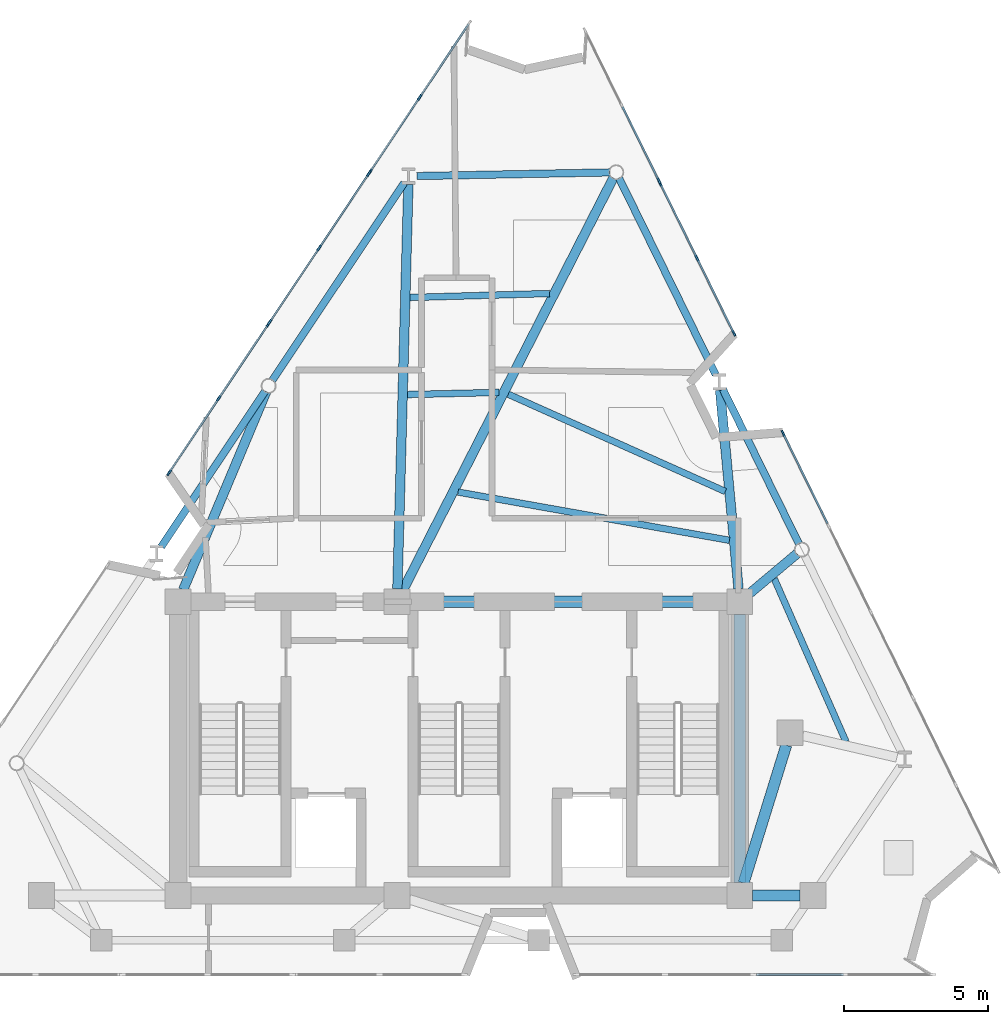
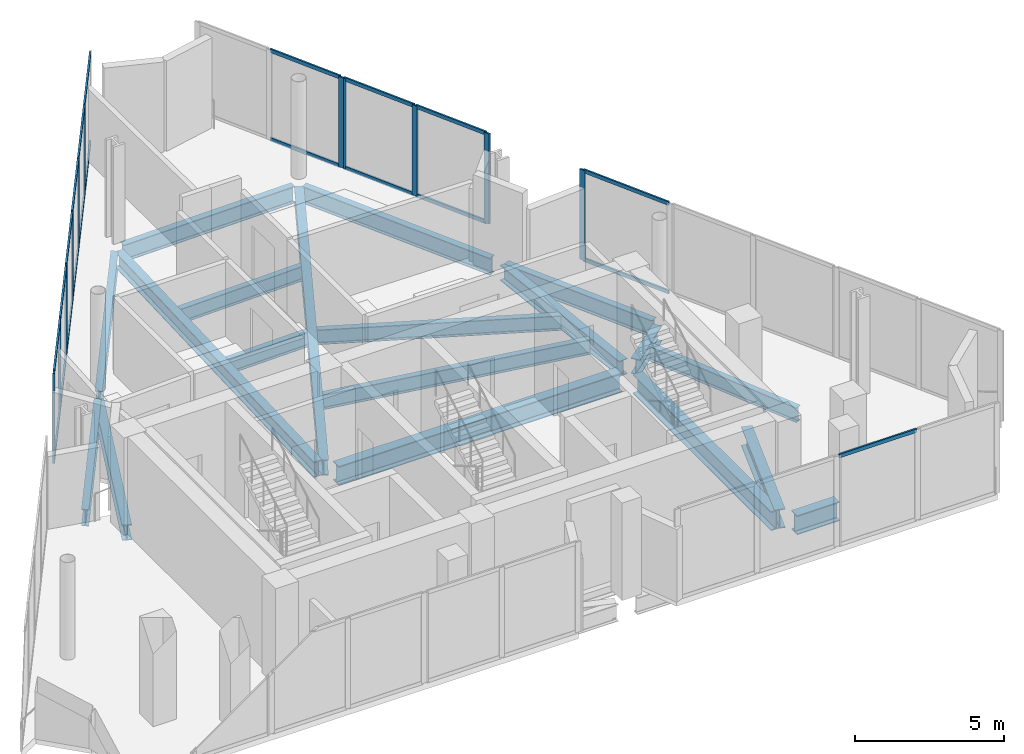
# One storey, part 3 of 9: 34 members, 19 beams, 7 elements without a shape of their own.
"""IFC4 building model written with IfcOpenShell, lengths in metres."""

from ifc_helpers import new_model, si_unit, direction, frame, origin, origin_2d, place, context, subcontext, project, spatial, rectangle, i_section, extrude, material, layer, layer_set, material_profile, profile_set, type_object, element, aggregate, save


model = new_model("IFC4")

# Units and contexts
model_context = context("Model", 3, precision=1e-05, world=origin(), true_north=direction((0.0, 1.0)))
body_context = subcontext(model_context, "Body", "Model", "MODEL_VIEW")
ifc_project = project(units=[si_unit("LENGTHUNIT", "METRE"), si_unit("AREAUNIT", "SQUARE_METRE"), si_unit("VOLUMEUNIT", "CUBIC_METRE"), si_unit("PLANEANGLEUNIT", "RADIAN"), si_unit("MASSUNIT", "GRAM", prefix="KILO")], contexts=[model_context])

# Site, building, storey
site_placement = place(None, origin())
site = spatial("IfcSite", under=ifc_project, at=site_placement, CompositionType="ELEMENT")
building_placement = place(site_placement, origin())
building = spatial("IfcBuilding", under=site, at=building_placement, Name="Almagre Mirador Tower", CompositionType="ELEMENT")
storey_placement = place(building_placement, frame((0.0, 0.0, 302.5)))
storey = spatial("IfcBuildingStorey", under=building, at=storey_placement, Name="L78", CompositionType="ELEMENT", Elevation=302.5)

# Beams
ifc_material_1 = material(Name="Steel ASTM A992 Grade 50", Category="steel")
ifc_material_profile_1 = material_profile(ifc_material_1, i_section(OverallWidth=0.22802734375, OverallDepth=0.60791015625, WebThickness=0.01123046875, FlangeThickness=0.017333984375, FilletRadius=0.02001953125, at=origin_2d()), Name="W24X76")
ifc_profile_set_1 = profile_set([ifc_material_profile_1], Name="Steel ASTM A992 Grade 50")
beam_type_1 = type_object("IfcBeamType", Name="BM-JST-W24X76", PredefinedType="JOIST", material=ifc_profile_set_1)
beam_1_placement = place(storey_placement, frame((50.740966796875, 9.88671875, -0.60400390625), z_axis=(-0.402759773965, 0.915305721863, 0.0), x_axis=(-0.915305721863, -0.402759773965, 0.0)))
element("IfcBeam", 1, at=beam_1_placement, inside=storey, type_object=beam_type_1, Name="L78 secondary floor joist PC05-PC06.2", PredefinedType="JOIST", context=body_context, shape_type="SweptSolid", body=[
    extrude(i_section(OverallWidth=0.22802734375, OverallDepth=0.60791015625, WebThickness=0.01123046875, FlangeThickness=0.017333984375, FilletRadius=0.02001953125, at=origin_2d()), origin(), (0.0, 0.0, 1.0), 6.1865234375),
])
beam_2_placement = place(storey_placement, frame((46.550048828125, 18.57763671875, -0.60400390625), z_axis=(-0.912603271466, 0.408846265617, 0.0), x_axis=(-0.408846265617, -0.912603271466, 0.0)))
element("IfcBeam", 2, at=beam_2_placement, inside=storey, type_object=beam_type_1, Name="L78 secondary floor joist PC07-PC08.2", PredefinedType="JOIST", context=body_context, shape_type="SweptSolid", body=[
    extrude(i_section(OverallWidth=0.22802734375, OverallDepth=0.60791015625, WebThickness=0.01123046875, FlangeThickness=0.017333984375, FilletRadius=0.02001953125, at=origin_2d()), origin(), (0.0, 0.0, 1.0), 8.259765625),
])
beam_3_placement = place(storey_placement, frame((46.692138671875, 16.883056640625, -0.60400390625), z_axis=(-0.984569639354, 0.174993214903, 0.0), x_axis=(-0.174993214903, -0.984569639354, 0.0)))
element("IfcBeam", 3, at=beam_3_placement, inside=storey, type_object=beam_type_1, Name="L78 secondary floor joist PC07-PC08.3", PredefinedType="JOIST", context=body_context, shape_type="SweptSolid", body=[
    extrude(i_section(OverallWidth=0.22802734375, OverallDepth=0.60791015625, WebThickness=0.01123046875, FlangeThickness=0.017333984375, FilletRadius=0.02001953125, at=origin_2d()), origin(), (0.0, 0.0, 1.0), 9.5693359375),
])
beam_4_placement = place(storey_placement, frame((40.4501953125, 25.452880859375, -0.60400390625), z_axis=(-0.999591141536, -0.028592827134, 0.0), x_axis=(0.028592827134, -0.999591141536, 0.0)))
element("IfcBeam", 4, at=beam_4_placement, inside=storey, type_object=beam_type_1, Name="L78 secondary floor joist PC08-PC09.1", PredefinedType="JOIST", context=body_context, shape_type="SweptSolid", body=[
    extrude(i_section(OverallWidth=0.22802734375, OverallDepth=0.60791015625, WebThickness=0.01123046875, FlangeThickness=0.017333984375, FilletRadius=0.02001953125, at=origin_2d()), origin(), (0.0, 0.0, 1.0), 4.849853515625),
])
beam_5_placement = place(storey_placement, frame((38.69677734375, 22.018310546875, -0.60400390625), z_axis=(-0.999725244584, -0.02344003715, 0.0), x_axis=(0.02344003715, -0.999725244584, 0.0)))
element("IfcBeam", 5, at=beam_5_placement, inside=storey, type_object=beam_type_1, Name="L78 secondary floor joist PC08-PC09.2", PredefinedType="JOIST", context=body_context, shape_type="SweptSolid", body=[
    extrude(i_section(OverallWidth=0.22802734375, OverallDepth=0.60791015625, WebThickness=0.01123046875, FlangeThickness=0.017333984375, FilletRadius=0.02001953125, at=origin_2d()), origin(), (0.0, 0.0, 1.0), 3.187255859375),
])
ifc_material_2 = material(Name="Steel ASTM A992 Grade 50", Category="steel")
ifc_material_profile_2 = material_profile(ifc_material_2, i_section(OverallWidth=0.256103515625, OverallDepth=0.693115234375, WebThickness=0.014404296875, FlangeThickness=0.023681640625, FilletRadius=0.02197265625, at=origin_2d()), Name="W27X114")
ifc_profile_set_2 = profile_set([ifc_material_profile_2], Name="Steel ASTM A992 Grade 50")
beam_type_2 = type_object("IfcBeamType", Name="BM-SPN-W27X114", PredefinedType="SPANDREL", material=ifc_profile_set_2)
beam_6_placement = place(storey_placement, frame((49.10791015625, 16.75537109375, -0.646484375), z_axis=(-0.441280885173, 0.897369032439, 0.0), x_axis=(-0.897369032439, -0.441280885173, 0.0)))
element("IfcBeam", 6, at=beam_6_placement, inside=storey, type_object=beam_type_2, Name="L78 perimeter spandrel beam PC06-PC07", PredefinedType="SPANDREL", context=body_context, shape_type="SweptSolid", body=[
    extrude(i_section(OverallWidth=0.256103515625, OverallDepth=0.693115234375, WebThickness=0.014404296875, FlangeThickness=0.023681640625, FilletRadius=0.02197265625, at=origin_2d()), origin(), (0.0, 0.0, 1.0), 5.985107421875),
])
beam_7_placement = place(storey_placement, frame((46.215087890625, 22.6376953125, -0.646484375), z_axis=(-0.441260346392, 0.897379132085, 0.0), x_axis=(-0.897379132085, -0.441260346392, 0.0)))
element("IfcBeam", 7, at=beam_7_placement, inside=storey, type_object=beam_type_2, Name="L78 perimeter spandrel beam PC07-PC08", PredefinedType="SPANDREL", context=body_context, shape_type="SweptSolid", body=[
    extrude(i_section(OverallWidth=0.256103515625, OverallDepth=0.693115234375, WebThickness=0.014404296875, FlangeThickness=0.023681640625, FilletRadius=0.02197265625, at=origin_2d()), origin(), (0.0, 0.0, 1.0), 7.607666015625),
])
beam_8_placement = place(storey_placement, frame((42.541015625, 29.657958984375, -0.646484375), z_axis=(-0.999822125959, -0.018860446513, 0.0), x_axis=(0.018860446513, -0.999822125959, 0.0)))
element("IfcBeam", 8, at=beam_8_placement, inside=storey, type_object=beam_type_2, Name="L78 perimeter spandrel beam PC08-PC09", PredefinedType="SPANDREL", context=body_context, shape_type="SweptSolid", body=[
    extrude(i_section(OverallWidth=0.256103515625, OverallDepth=0.693115234375, WebThickness=0.014404296875, FlangeThickness=0.023681640625, FilletRadius=0.02197265625, at=origin_2d()), origin(), (0.0, 0.0, 1.0), 6.705322265625),
])
beam_9_placement = place(storey_placement, frame((35.393798828125, 29.2890625, -0.646484375), z_axis=(-0.555219210279, -0.831704051052, 0.0), x_axis=(0.831704051052, -0.555219210279, 0.0)))
element("IfcBeam", 9, at=beam_9_placement, inside=storey, type_object=beam_type_2, Name="L78 perimeter spandrel beam PC09-PC10", PredefinedType="SPANDREL", context=body_context, shape_type="SweptSolid", body=[
    extrude(i_section(OverallWidth=0.256103515625, OverallDepth=0.693115234375, WebThickness=0.014404296875, FlangeThickness=0.023681640625, FilletRadius=0.02197265625, at=origin_2d()), origin(), (0.0, 0.0, 1.0), 8.248291015625),
])
beam_10_placement = place(storey_placement, frame((30.56982421875, 22.06298828125, -0.646484375), z_axis=(-0.555229008561, -0.831697509947, 0.0), x_axis=(0.831697509947, -0.555229008561, 0.0)))
element("IfcBeam", 10, at=beam_10_placement, inside=storey, type_object=beam_type_2, Name="L78 perimeter spandrel beam PC10-PC11", PredefinedType="SPANDREL", context=body_context, shape_type="SweptSolid", body=[
    extrude(i_section(OverallWidth=0.256103515625, OverallDepth=0.693115234375, WebThickness=0.014404296875, FlangeThickness=0.023681640625, FilletRadius=0.02197265625, at=origin_2d()), origin(), (0.0, 0.0, 1.0), 6.49755859375),
])
ifc_material_3 = material(Name="Steel ASTM A992 Grade 50", Category="steel")
ifc_material_profile_3 = material_profile(ifc_material_3, i_section(OverallWidth=0.330078125, OverallDepth=0.635009765625, WebThickness=0.017822265625, FlangeThickness=0.031005859375, FilletRadius=0.02001953125, at=origin_2d()), Name="W24X162")
ifc_profile_set_3 = profile_set([ifc_material_profile_3], Name="Steel ASTM A992 Grade 50")
beam_type_3 = type_object("IfcBeamType", Name="BM-STL-W24X162", PredefinedType="BEAM", material=ifc_profile_set_3)
beam_11_placement = place(storey_placement, frame((49.03662109375, 16.41650390625, -0.617431640625), z_axis=(-0.766153543196, -0.642657566865, 0.0), x_axis=(0.642657566865, -0.766153543196, 0.0)))
element("IfcBeam", 11, at=beam_11_placement, inside=storey, type_object=beam_type_3, Name="L78 radial floor girder PC06-CC6", PredefinedType="BEAM", context=body_context, shape_type="SweptSolid", body=[
    extrude(i_section(OverallWidth=0.330078125, OverallDepth=0.635009765625, WebThickness=0.017822265625, FlangeThickness=0.031005859375, FilletRadius=0.02001953125, at=origin_2d()), origin(), (0.0, 0.0, 1.0), 2.14306640625),
])
beam_12_placement = place(storey_placement, frame((46.367431640625, 22.09814453125, -0.617431640625), z_axis=(0.092479594249, -0.995714579911, 0.0), x_axis=(0.995714579911, 0.092479594249, 0.0)))
element("IfcBeam", 12, at=beam_12_placement, inside=storey, type_object=beam_type_3, Name="L78 radial floor girder PC07-CC6", PredefinedType="BEAM", context=body_context, shape_type="SweptSolid", body=[
    extrude(i_section(OverallWidth=0.330078125, OverallDepth=0.635009765625, WebThickness=0.017822265625, FlangeThickness=0.031005859375, FilletRadius=0.02001953125, at=origin_2d()), origin(), (0.0, 0.0, 1.0), 6.929931640625),
])
beam_13_placement = place(storey_placement, frame((42.660888671875, 29.466064453125, -0.617431640625), z_axis=(-0.454605133062, -0.890693085745, 0.0), x_axis=(0.890693085745, -0.454605133062, 0.0)))
element("IfcBeam", 13, at=beam_13_placement, inside=storey, type_object=beam_type_3, Name="L78 radial floor girder PC08-CC5", PredefinedType="BEAM", context=body_context, shape_type="SweptSolid", body=[
    extrude(i_section(OverallWidth=0.330078125, OverallDepth=0.635009765625, WebThickness=0.017822265625, FlangeThickness=0.031005859375, FilletRadius=0.02001953125, at=origin_2d()), origin(), (0.0, 0.0, 1.0), 16.072021484375),
])
beam_14_placement = place(storey_placement, frame((35.544189453125, 29.2412109375, -0.617431640625), z_axis=(-0.027200697889, -0.999629992564, 0.0), x_axis=(0.999629992564, -0.027200697889, 0.0)))
element("IfcBeam", 14, at=beam_14_placement, inside=storey, type_object=beam_type_3, Name="L78 radial floor girder PC09-CC5", PredefinedType="BEAM", context=body_context, shape_type="SweptSolid", body=[
    extrude(i_section(OverallWidth=0.330078125, OverallDepth=0.635009765625, WebThickness=0.017822265625, FlangeThickness=0.031005859375, FilletRadius=0.02001953125, at=origin_2d()), origin(), (0.0, 0.0, 1.0), 14.046630859375),
])
beam_15_placement = place(storey_placement, frame((30.60693359375, 22.043212890625, -0.617431640625), z_axis=(-0.386546157571, -0.922270062437, 0.0), x_axis=(0.922270062437, -0.386546157571, 0.0)))
element("IfcBeam", 15, at=beam_15_placement, inside=storey, type_object=beam_type_3, Name="L78 radial floor girder PC10-CC4", PredefinedType="BEAM", context=body_context, shape_type="SweptSolid", body=[
    extrude(i_section(OverallWidth=0.330078125, OverallDepth=0.635009765625, WebThickness=0.017822265625, FlangeThickness=0.031005859375, FilletRadius=0.02001953125, at=origin_2d()), origin(), (0.0, 0.0, 1.0), 7.457763671875),
])
ifc_material_4 = material(Name="Steel ASTM A992 Grade 50", Category="steel")
ifc_material_profile_4 = material_profile(ifc_material_4, i_section(OverallWidth=0.384033203125, OverallDepth=0.784912109375, WebThickness=0.019775390625, FlangeThickness=0.033447265625, FilletRadius=0.02392578125, at=origin_2d()), Name="W30X211")
ifc_profile_set_4 = profile_set([ifc_material_profile_4], Name="Steel ASTM A992 Grade 50")
beam_type_4 = type_object("IfcBeamType", Name="BM-STL-W30X211", PredefinedType="BEAM", material=ifc_profile_set_4)
beam_16_placement = place(storey_placement, frame((35.60009765625, 14.75, -0.6923828125), z_axis=(1.0, 0.0, 0.0), x_axis=(0.0, 1.0, 0.0)))
element("IfcBeam", 16, at=beam_16_placement, inside=storey, type_object=beam_type_4, Name="L78 core tie girder CC5-CC6", PredefinedType="BEAM", context=body_context, shape_type="SweptSolid", body=[
    extrude(i_section(OverallWidth=0.384033203125, OverallDepth=0.784912109375, WebThickness=0.019775390625, FlangeThickness=0.033447265625, FilletRadius=0.02392578125, at=origin_2d()), origin(), (0.0, 0.0, 1.0), 11.0),
])
beam_17_placement = place(storey_placement, frame((47.050048828125, 5.0, -0.6923828125), z_axis=(0.0, 1.0, 0.0), x_axis=(-1.0, 0.0, 0.0)))
element("IfcBeam", 17, at=beam_17_placement, inside=storey, type_object=beam_type_4, Name="L78 core tie girder CC3-CC6", PredefinedType="BEAM", context=body_context, shape_type="SweptSolid", body=[
    extrude(i_section(OverallWidth=0.384033203125, OverallDepth=0.784912109375, WebThickness=0.019775390625, FlangeThickness=0.033447265625, FilletRadius=0.02392578125, at=origin_2d()), origin(), (0.0, 0.0, 1.0), 9.300048828125),
])
beam_18_placement = place(storey_placement, frame((49.14990234375, 4.550048828125, -0.6923828125), z_axis=(-1.0, 0.0, 0.0), x_axis=(0.0, -1.0, 0.0)))
element("IfcBeam", 18, at=beam_18_placement, inside=storey, type_object=beam_type_4, Name="L78 core tie girder MC2-CC3", PredefinedType="BEAM", context=body_context, shape_type="SweptSolid", body=[
    extrude(i_section(OverallWidth=0.384033203125, OverallDepth=0.784912109375, WebThickness=0.019775390625, FlangeThickness=0.033447265625, FilletRadius=0.02392578125, at=origin_2d()), origin(), (0.0, 0.0, 1.0), 1.64990234375),
])
beam_19_placement = place(storey_placement, frame((48.6669921875, 9.77001953125, -0.6923828125), z_axis=(-0.295912212866, -0.955215139263, 0.0), x_axis=(0.955215139263, -0.295912212866, 0.0)))
element("IfcBeam", 19, at=beam_19_placement, inside=storey, type_object=beam_type_4, Name="L78 core tie girder MC3-CC3", PredefinedType="BEAM", context=body_context, shape_type="SweptSolid", body=[
    extrude(i_section(OverallWidth=0.384033203125, OverallDepth=0.784912109375, WebThickness=0.019775390625, FlangeThickness=0.033447265625, FilletRadius=0.02392578125, at=origin_2d()), origin(), (0.0, 0.0, 1.0), 5.0146484375),
])

# Curtain wall, members
ifc_material_5 = material(Name="Black anodized aluminium", Category="aluminium")
ifc_layer = layer(ifc_material_5, 0.2099609375)
ifc_layer_set = layer_set([ifc_layer], Name="Black anodized aluminium")
curtain_wall_type = type_object("IfcCurtainWallType", Name="CW-CRN-SYS", PredefinedType="NOTDEFINED", material=ifc_layer_set)
curtain_wall_1_placement = place(storey_placement, origin())
curtain_wall_1 = element("IfcCurtainWall", 20, at=curtain_wall_1_placement, inside=storey, type_object=curtain_wall_type, Name="L78 curtain wall run 03", PredefinedType="NOTDEFINED")
ifc_material_6 = material(Name="Black anodized aluminium", Category="aluminium")
ifc_material_profile_5 = material_profile(ifc_material_6, rectangle(XDim=0.070068359375, YDim=0.2099609375, at=origin_2d()), Name="CWM70X210")
ifc_profile_set_5 = profile_set([ifc_material_profile_5], Name="Black anodized aluminium")
member_type_1 = type_object("IfcMemberType", Name="MBR-CWM70X210", PredefinedType="MULLION", material=ifc_profile_set_5)
member_1_placement = place(storey_placement, frame((27.235595703125, 19.230224609375, 0.0), z_axis=(0.0, 0.0, 1.0), x_axis=(-0.831682710504, 0.55525117654, 0.0)))
member_1 = element("IfcMember", 21, at=member_1_placement, type_object=member_type_1, Name="CW-6 mullion 1", PredefinedType="MULLION", context=body_context, shape_type="SweptSolid", body=[
    extrude(rectangle(XDim=0.070068359375, YDim=0.2099609375, at=origin_2d()), origin(), (0.0, 0.0, 1.0), 3.699951171875),
])
member_2_placement = place(storey_placement, frame((28.9599609375, 21.813232421875, 0.0), z_axis=(0.0, 0.0, 1.0), x_axis=(-0.831682710504, 0.55525117654, 0.0)))
member_2 = element("IfcMember", 22, at=member_2_placement, type_object=member_type_1, Name="CW-6 mullion 2", PredefinedType="MULLION", context=body_context, shape_type="SweptSolid", body=[
    extrude(rectangle(XDim=0.070068359375, YDim=0.2099609375, at=origin_2d()), origin(), (0.0, 0.0, 1.0), 3.699951171875),
])
member_3_placement = place(storey_placement, frame((30.684326171875, 24.39599609375, 0.0), z_axis=(0.0, 0.0, 1.0), x_axis=(-0.831682710504, 0.55525117654, 0.0)))
member_3 = element("IfcMember", 23, at=member_3_placement, type_object=member_type_1, Name="CW-6 mullion 3", PredefinedType="MULLION", context=body_context, shape_type="SweptSolid", body=[
    extrude(rectangle(XDim=0.070068359375, YDim=0.2099609375, at=origin_2d()), origin(), (0.0, 0.0, 1.0), 3.699951171875),
])

curtain_wall_2_placement = place(storey_placement, origin())
curtain_wall_2 = element("IfcCurtainWall", 24, at=curtain_wall_2_placement, inside=storey, type_object=curtain_wall_type, Name="L78 curtain wall run 04", PredefinedType="NOTDEFINED")
member_4_placement = place(storey_placement, frame((30.72314453125, 24.4541015625, 0.0), z_axis=(0.0, 0.0, 1.0), x_axis=(-0.83167780198, 0.5552585287, 0.0)))
member_4 = element("IfcMember", 25, at=member_4_placement, type_object=member_type_1, Name="CW-6 mullion 1", PredefinedType="MULLION", context=body_context, shape_type="SweptSolid", body=[
    extrude(rectangle(XDim=0.070068359375, YDim=0.2099609375, at=origin_2d()), origin(), (0.0, 0.0, 1.0), 3.699951171875),
])
member_5_placement = place(storey_placement, frame((32.447509765625, 27.037109375, 0.0), z_axis=(0.0, 0.0, 1.0), x_axis=(-0.83167780198, 0.5552585287, 0.0)))
member_5 = element("IfcMember", 26, at=member_5_placement, type_object=member_type_1, Name="CW-6 mullion 2", PredefinedType="MULLION", context=body_context, shape_type="SweptSolid", body=[
    extrude(rectangle(XDim=0.070068359375, YDim=0.2099609375, at=origin_2d()), origin(), (0.0, 0.0, 1.0), 3.699951171875),
])
member_6_placement = place(storey_placement, frame((34.171875, 29.619873046875, 0.0), z_axis=(0.0, 0.0, 1.0), x_axis=(-0.83167780198, 0.5552585287, 0.0)))
member_6 = element("IfcMember", 27, at=member_6_placement, type_object=member_type_1, Name="CW-6 mullion 3", PredefinedType="MULLION", context=body_context, shape_type="SweptSolid", body=[
    extrude(rectangle(XDim=0.070068359375, YDim=0.2099609375, at=origin_2d()), origin(), (0.0, 0.0, 1.0), 3.699951171875),
])

curtain_wall_3_placement = place(storey_placement, origin())
curtain_wall_3 = element("IfcCurtainWall", 28, at=curtain_wall_3_placement, inside=storey, type_object=curtain_wall_type, Name="L78 curtain wall run 05", PredefinedType="NOTDEFINED")
member_7_placement = place(storey_placement, frame((34.210693359375, 29.677978515625, 0.0), z_axis=(0.0, 0.0, 1.0), x_axis=(-0.831682710504, 0.55525117654, 0.0)))
member_7 = element("IfcMember", 29, at=member_7_placement, type_object=member_type_1, Name="CW-6 mullion 1", PredefinedType="MULLION", context=body_context, shape_type="SweptSolid", body=[
    extrude(rectangle(XDim=0.070068359375, YDim=0.2099609375, at=origin_2d()), origin(), (0.0, 0.0, 1.0), 3.699951171875),
])
member_8_placement = place(storey_placement, frame((35.93505859375, 32.2607421875, 0.0), z_axis=(0.0, 0.0, 1.0), x_axis=(-0.831682710504, 0.55525117654, 0.0)))
member_8 = element("IfcMember", 30, at=member_8_placement, type_object=member_type_1, Name="CW-6 mullion 2", PredefinedType="MULLION", context=body_context, shape_type="SweptSolid", body=[
    extrude(rectangle(XDim=0.070068359375, YDim=0.2099609375, at=origin_2d()), origin(), (0.0, 0.0, 1.0), 3.699951171875),
])

# Curtain wall, member
curtain_wall_4_placement = place(storey_placement, origin())
curtain_wall_4 = element("IfcCurtainWall", 31, at=curtain_wall_4_placement, inside=storey, type_object=curtain_wall_type, Name="L78 curtain wall run 06", PredefinedType="NOTDEFINED")
member_9_placement = place(storey_placement, frame((44.248046875, 29.3583984375, 0.0), z_axis=(0.0, 0.0, 1.0), x_axis=(0.897362755579, 0.441293649286, 0.0)))
member_9 = element("IfcMember", 32, at=member_9_placement, type_object=member_type_1, Name="CW-6 mullion 3", PredefinedType="MULLION", context=body_context, shape_type="SweptSolid", body=[
    extrude(rectangle(XDim=0.070068359375, YDim=0.2099609375, at=origin_2d()), origin(), (0.0, 0.0, 1.0), 3.699951171875),
])

# Curtain wall, members
curtain_wall_5_placement = place(storey_placement, origin())
curtain_wall_5 = element("IfcCurtainWall", 33, at=curtain_wall_5_placement, inside=storey, type_object=curtain_wall_type, Name="L78 curtain wall run 07", PredefinedType="NOTDEFINED")
member_10_placement = place(storey_placement, frame((44.279052734375, 29.295654296875, 0.0), z_axis=(0.0, 0.0, 1.0), x_axis=(0.897362755579, 0.441293649286, 0.0)))
member_10 = element("IfcMember", 34, at=member_10_placement, type_object=member_type_1, Name="CW-6 mullion 1", PredefinedType="MULLION", context=body_context, shape_type="SweptSolid", body=[
    extrude(rectangle(XDim=0.070068359375, YDim=0.2099609375, at=origin_2d()), origin(), (0.0, 0.0, 1.0), 3.699951171875),
])
member_11_placement = place(storey_placement, frame((45.562744140625, 26.68505859375, 0.0), z_axis=(0.0, 0.0, 1.0), x_axis=(0.897362755579, 0.441293649286, 0.0)))
member_11 = element("IfcMember", 35, at=member_11_placement, type_object=member_type_1, Name="CW-6 mullion 2", PredefinedType="MULLION", context=body_context, shape_type="SweptSolid", body=[
    extrude(rectangle(XDim=0.070068359375, YDim=0.2099609375, at=origin_2d()), origin(), (0.0, 0.0, 1.0), 3.699951171875),
])
member_12_placement = place(storey_placement, frame((46.846435546875, 24.07470703125, 0.0), z_axis=(0.0, 0.0, 1.0), x_axis=(0.897362755579, 0.441293649286, 0.0)))
member_12 = element("IfcMember", 36, at=member_12_placement, type_object=member_type_1, Name="CW-6 mullion 3", PredefinedType="MULLION", context=body_context, shape_type="SweptSolid", body=[
    extrude(rectangle(XDim=0.070068359375, YDim=0.2099609375, at=origin_2d()), origin(), (0.0, 0.0, 1.0), 3.699951171875),
])

# Curtain wall, member
curtain_wall_6_placement = place(storey_placement, origin())
curtain_wall_6 = element("IfcCurtainWall", 37, at=curtain_wall_6_placement, inside=storey, type_object=curtain_wall_type, Name="L78 curtain wall run 08", PredefinedType="NOTDEFINED")
member_13_placement = place(storey_placement, frame((48.554443359375, 20.601318359375, 0.0), z_axis=(0.0, 0.0, 1.0), x_axis=(0.897372130823, 0.441274584384, 0.0)))
member_13 = element("IfcMember", 38, at=member_13_placement, type_object=member_type_1, Name="CW-6 mullion 1", PredefinedType="MULLION", context=body_context, shape_type="SweptSolid", body=[
    extrude(rectangle(XDim=0.070068359375, YDim=0.2099609375, at=origin_2d()), origin(), (0.0, 0.0, 1.0), 3.699951171875),
])

# Member
ifc_material_7 = material(Name="Black anodized aluminium", Category="aluminium")
ifc_material_profile_6 = material_profile(ifc_material_7, rectangle(XDim=0.06494140625, YDim=0.14990234375, at=origin_2d()), Name="CWT65X150")
ifc_profile_set_6 = profile_set([ifc_material_profile_6], Name="Black anodized aluminium")
member_type_2 = type_object("IfcMemberType", Name="MBR-CWT65X150", PredefinedType="USERDEFINED", material=ifc_profile_set_6)
member_14_placement = place(storey_placement, frame((27.2548828125, 19.259521484375, 0.032470703125), z_axis=(0.555294005165, 0.8316541155, 0.0), x_axis=(-0.8316541155, 0.555294005165, 0.0)))
member_14 = element("IfcMember", 39, at=member_14_placement, type_object=member_type_2, Name="CW-6 transom 1.1", ObjectType="TRANSOM", PredefinedType="USERDEFINED", context=body_context, shape_type="SweptSolid", body=[
    extrude(rectangle(XDim=0.06494140625, YDim=0.14990234375, at=origin_2d()), origin(), (0.0, 0.0, 1.0), 3.035400390625),
])

member_15_placement = place(storey_placement, frame((27.2548828125, 19.259521484375, 3.66748046875), z_axis=(0.555294005165, 0.8316541155, 0.0), x_axis=(-0.8316541155, 0.555294005165, 0.0)))
member_15 = element("IfcMember", 40, at=member_15_placement, type_object=member_type_2, Name="CW-6 transom 1.2", ObjectType="TRANSOM", PredefinedType="USERDEFINED", context=body_context, shape_type="SweptSolid", body=[
    extrude(rectangle(XDim=0.06494140625, YDim=0.14990234375, at=origin_2d()), origin(), (0.0, 0.0, 1.0), 3.035400390625),
])

member_16_placement = place(storey_placement, frame((28.979248046875, 21.84228515625, 0.032470703125), z_axis=(0.55525686316, 0.831678913953, 0.0), x_axis=(-0.831678913953, 0.55525686316, 0.0)))
member_16 = element("IfcMember", 41, at=member_16_placement, type_object=member_type_2, Name="CW-6 transom 2.1", ObjectType="TRANSOM", PredefinedType="USERDEFINED", context=body_context, shape_type="SweptSolid", body=[
    extrude(rectangle(XDim=0.06494140625, YDim=0.14990234375, at=origin_2d()), origin(), (0.0, 0.0, 1.0), 3.03564453125),
])

member_17_placement = place(storey_placement, frame((28.979248046875, 21.84228515625, 3.66748046875), z_axis=(0.55525686316, 0.831678913953, 0.0), x_axis=(-0.831678913953, 0.55525686316, 0.0)))
member_17 = element("IfcMember", 42, at=member_17_placement, type_object=member_type_2, Name="CW-6 transom 2.2", ObjectType="TRANSOM", PredefinedType="USERDEFINED", context=body_context, shape_type="SweptSolid", body=[
    extrude(rectangle(XDim=0.06494140625, YDim=0.14990234375, at=origin_2d()), origin(), (0.0, 0.0, 1.0), 3.03564453125),
])

aggregate(curtain_wall_1, [member_1, member_2, member_3, member_14, member_15, member_16, member_17])

member_18_placement = place(storey_placement, frame((30.74267578125, 24.4833984375, 0.032470703125), z_axis=(0.555238371615, 0.831691259234, 0.0), x_axis=(-0.831691259234, 0.555238371615, 0.0)))
member_18 = element("IfcMember", 43, at=member_18_placement, type_object=member_type_2, Name="CW-6 transom 1.1", ObjectType="TRANSOM", PredefinedType="USERDEFINED", context=body_context, shape_type="SweptSolid", body=[
    extrude(rectangle(XDim=0.06494140625, YDim=0.14990234375, at=origin_2d()), origin(), (0.0, 0.0, 1.0), 3.03515625),
])

member_19_placement = place(storey_placement, frame((30.74267578125, 24.4833984375, 3.66748046875), z_axis=(0.555238371615, 0.831691259234, 0.0), x_axis=(-0.831691259234, 0.555238371615, 0.0)))
member_19 = element("IfcMember", 44, at=member_19_placement, type_object=member_type_2, Name="CW-6 transom 1.2", ObjectType="TRANSOM", PredefinedType="USERDEFINED", context=body_context, shape_type="SweptSolid", body=[
    extrude(rectangle(XDim=0.06494140625, YDim=0.14990234375, at=origin_2d()), origin(), (0.0, 0.0, 1.0), 3.03515625),
])

member_20_placement = place(storey_placement, frame((32.467041015625, 27.066162109375, 0.032470703125), z_axis=(0.555238371615, 0.831691259234, 0.0), x_axis=(-0.831691259234, 0.555238371615, 0.0)))
member_20 = element("IfcMember", 45, at=member_20_placement, type_object=member_type_2, Name="CW-6 transom 2.1", ObjectType="TRANSOM", PredefinedType="USERDEFINED", context=body_context, shape_type="SweptSolid", body=[
    extrude(rectangle(XDim=0.06494140625, YDim=0.14990234375, at=origin_2d()), origin(), (0.0, 0.0, 1.0), 3.03515625),
])

member_21_placement = place(storey_placement, frame((32.467041015625, 27.066162109375, 3.66748046875), z_axis=(0.555238371615, 0.831691259234, 0.0), x_axis=(-0.831691259234, 0.555238371615, 0.0)))
member_21 = element("IfcMember", 46, at=member_21_placement, type_object=member_type_2, Name="CW-6 transom 2.2", ObjectType="TRANSOM", PredefinedType="USERDEFINED", context=body_context, shape_type="SweptSolid", body=[
    extrude(rectangle(XDim=0.06494140625, YDim=0.14990234375, at=origin_2d()), origin(), (0.0, 0.0, 1.0), 3.03515625),
])

aggregate(curtain_wall_2, [member_4, member_5, member_6, member_18, member_19, member_20, member_21])

member_22_placement = place(storey_placement, frame((34.230224609375, 29.70703125, 0.032470703125), z_axis=(0.55525686316, 0.831678913953, 0.0), x_axis=(-0.831678913953, 0.55525686316, 0.0)))
member_22 = element("IfcMember", 47, at=member_22_placement, type_object=member_type_2, Name="CW-6 transom 1.1", ObjectType="TRANSOM", PredefinedType="USERDEFINED", context=body_context, shape_type="SweptSolid", body=[
    extrude(rectangle(XDim=0.06494140625, YDim=0.14990234375, at=origin_2d()), origin(), (0.0, 0.0, 1.0), 3.03564453125),
])

member_23_placement = place(storey_placement, frame((34.230224609375, 29.70703125, 3.66748046875), z_axis=(0.55525686316, 0.831678913953, 0.0), x_axis=(-0.831678913953, 0.55525686316, 0.0)))
member_23 = element("IfcMember", 48, at=member_23_placement, type_object=member_type_2, Name="CW-6 transom 1.2", ObjectType="TRANSOM", PredefinedType="USERDEFINED", context=body_context, shape_type="SweptSolid", body=[
    extrude(rectangle(XDim=0.06494140625, YDim=0.14990234375, at=origin_2d()), origin(), (0.0, 0.0, 1.0), 3.03564453125),
])

member_24_placement = place(storey_placement, frame((35.95458984375, 32.2900390625, 0.032470703125), z_axis=(0.55525686316, 0.831678913953, 0.0), x_axis=(-0.831678913953, 0.55525686316, 0.0)))
member_24 = element("IfcMember", 49, at=member_24_placement, type_object=member_type_2, Name="CW-6 transom 2.1", ObjectType="TRANSOM", PredefinedType="USERDEFINED", context=body_context, shape_type="SweptSolid", body=[
    extrude(rectangle(XDim=0.06494140625, YDim=0.14990234375, at=origin_2d()), origin(), (0.0, 0.0, 1.0), 3.03564453125),
])

member_25_placement = place(storey_placement, frame((35.95458984375, 32.2900390625, 3.66748046875), z_axis=(0.55525686316, 0.831678913953, 0.0), x_axis=(-0.831678913953, 0.55525686316, 0.0)))
member_25 = element("IfcMember", 50, at=member_25_placement, type_object=member_type_2, Name="CW-6 transom 2.2", ObjectType="TRANSOM", PredefinedType="USERDEFINED", context=body_context, shape_type="SweptSolid", body=[
    extrude(rectangle(XDim=0.06494140625, YDim=0.14990234375, at=origin_2d()), origin(), (0.0, 0.0, 1.0), 3.03564453125),
])

aggregate(curtain_wall_3, [member_7, member_8, member_22, member_23, member_24, member_25])

member_26_placement = place(storey_placement, frame((42.979736328125, 31.9375, 0.032470703125), z_axis=(0.441321925817, -0.897348849552, 0.0), x_axis=(0.897348849552, 0.441321925817, 0.0)))
member_26 = element("IfcMember", 51, at=member_26_placement, type_object=member_type_2, Name="CW-6 transom 2.1", ObjectType="TRANSOM", PredefinedType="USERDEFINED", context=body_context, shape_type="SweptSolid", body=[
    extrude(rectangle(XDim=0.06494140625, YDim=0.14990234375, at=origin_2d()), origin(), (0.0, 0.0, 1.0), 2.839111328125),
])

member_27_placement = place(storey_placement, frame((42.979736328125, 31.9375, 3.66748046875), z_axis=(0.441321925817, -0.897348849552, 0.0), x_axis=(0.897348849552, 0.441321925817, 0.0)))
member_27 = element("IfcMember", 52, at=member_27_placement, type_object=member_type_2, Name="CW-6 transom 2.2", ObjectType="TRANSOM", PredefinedType="USERDEFINED", context=body_context, shape_type="SweptSolid", body=[
    extrude(rectangle(XDim=0.06494140625, YDim=0.14990234375, at=origin_2d()), origin(), (0.0, 0.0, 1.0), 2.839111328125),
])

aggregate(curtain_wall_4, [member_9, member_26, member_27])

member_28_placement = place(storey_placement, frame((44.29443359375, 29.26416015625, 0.032470703125), z_axis=(0.441321925817, -0.897348849552, 0.0), x_axis=(0.897348849552, 0.441321925817, 0.0)))
member_28 = element("IfcMember", 53, at=member_28_placement, type_object=member_type_2, Name="CW-6 transom 1.1", ObjectType="TRANSOM", PredefinedType="USERDEFINED", context=body_context, shape_type="SweptSolid", body=[
    extrude(rectangle(XDim=0.06494140625, YDim=0.14990234375, at=origin_2d()), origin(), (0.0, 0.0, 1.0), 2.839111328125),
])

member_29_placement = place(storey_placement, frame((44.29443359375, 29.26416015625, 3.66748046875), z_axis=(0.441321925817, -0.897348849552, 0.0), x_axis=(0.897348849552, 0.441321925817, 0.0)))
member_29 = element("IfcMember", 54, at=member_29_placement, type_object=member_type_2, Name="CW-6 transom 1.2", ObjectType="TRANSOM", PredefinedType="USERDEFINED", context=body_context, shape_type="SweptSolid", body=[
    extrude(rectangle(XDim=0.06494140625, YDim=0.14990234375, at=origin_2d()), origin(), (0.0, 0.0, 1.0), 2.839111328125),
])

member_30_placement = place(storey_placement, frame((45.578125, 26.65380859375, 0.032470703125), z_axis=(0.441287872752, -0.897365596266, 0.0), x_axis=(0.897365596266, 0.441287872752, 0.0)))
member_30 = element("IfcMember", 55, at=member_30_placement, type_object=member_type_2, Name="CW-6 transom 2.1", ObjectType="TRANSOM", PredefinedType="USERDEFINED", context=body_context, shape_type="SweptSolid", body=[
    extrude(rectangle(XDim=0.06494140625, YDim=0.14990234375, at=origin_2d()), origin(), (0.0, 0.0, 1.0), 2.83935546875),
])

member_31_placement = place(storey_placement, frame((45.578125, 26.65380859375, 3.66748046875), z_axis=(0.441287872752, -0.897365596266, 0.0), x_axis=(0.897365596266, 0.441287872752, 0.0)))
member_31 = element("IfcMember", 56, at=member_31_placement, type_object=member_type_2, Name="CW-6 transom 2.2", ObjectType="TRANSOM", PredefinedType="USERDEFINED", context=body_context, shape_type="SweptSolid", body=[
    extrude(rectangle(XDim=0.06494140625, YDim=0.14990234375, at=origin_2d()), origin(), (0.0, 0.0, 1.0), 2.83935546875),
])

aggregate(curtain_wall_5, [member_10, member_11, member_12, member_28, member_29, member_30, member_31])

member_32_placement = place(storey_placement, frame((48.570068359375, 20.570068359375, 0.032470703125), z_axis=(0.441252638298, -0.897382922278, 0.0), x_axis=(0.897382922278, 0.441252638298, 0.0)))
member_32 = element("IfcMember", 57, at=member_32_placement, type_object=member_type_2, Name="CW-6 transom 1.1", ObjectType="TRANSOM", PredefinedType="USERDEFINED", context=body_context, shape_type="SweptSolid", body=[
    extrude(rectangle(XDim=0.06494140625, YDim=0.14990234375, at=origin_2d()), origin(), (0.0, 0.0, 1.0), 3.46240234375),
])

member_33_placement = place(storey_placement, frame((48.570068359375, 20.570068359375, 3.66748046875), z_axis=(0.441252638298, -0.897382922278, 0.0), x_axis=(0.897382922278, 0.441252638298, 0.0)))
member_33 = element("IfcMember", 58, at=member_33_placement, type_object=member_type_2, Name="CW-6 transom 1.2", ObjectType="TRANSOM", PredefinedType="USERDEFINED", context=body_context, shape_type="SweptSolid", body=[
    extrude(rectangle(XDim=0.06494140625, YDim=0.14990234375, at=origin_2d()), origin(), (0.0, 0.0, 1.0), 3.46240234375),
])

aggregate(curtain_wall_6, [member_13, member_32, member_33])

# Curtain wall, member
curtain_wall_7_placement = place(storey_placement, origin())
curtain_wall_7 = element("IfcCurtainWall", 59, at=curtain_wall_7_placement, inside=storey, type_object=curtain_wall_type, Name="L78 curtain wall run 11", PredefinedType="NOTDEFINED")
member_34_placement = place(storey_placement, frame((50.64892578125, 1.800048828125, 3.66748046875), z_axis=(-1.0, 0.0, 0.0), x_axis=(0.0, -1.0, 0.0)))
member_34 = element("IfcMember", 60, at=member_34_placement, type_object=member_type_2, Name="CW-6 transom 2.2", ObjectType="TRANSOM", PredefinedType="USERDEFINED", context=body_context, shape_type="SweptSolid", body=[
    extrude(rectangle(XDim=0.06494140625, YDim=0.14990234375, at=origin_2d()), origin(), (0.0, 0.0, 1.0), 3.010986328125),
])
aggregate(curtain_wall_7, [member_34])

save(model, "model.ifc")
